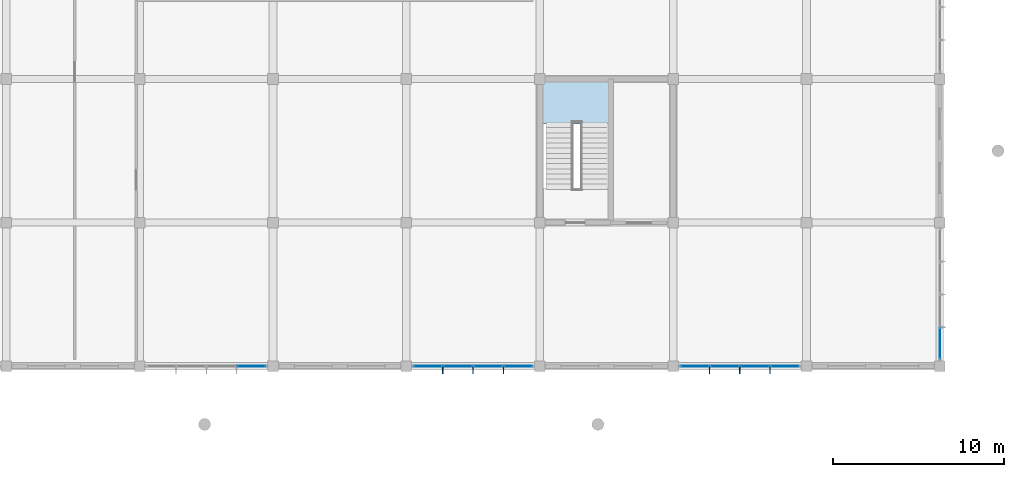
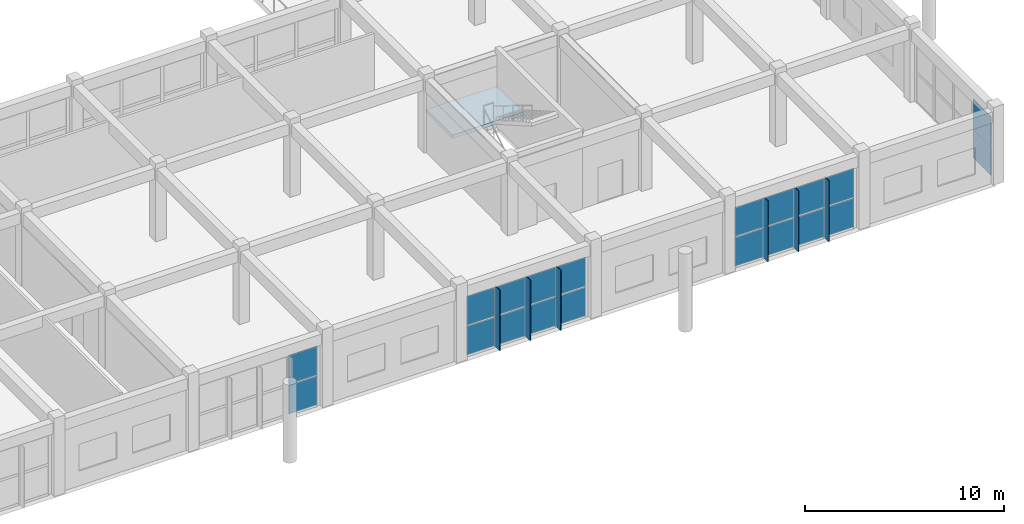
# One storey, part 140 of 167: 26 plates, 1 slab, 5 elements without a shape of their own.
"""IFC4 building model written with IfcOpenShell, lengths in metres."""

from ifc_helpers import new_model, si_unit, direction, frame, origin, origin_2d, place, context, subcontext, project, spatial, polyline, rectangle, outline, extrude, material, layer, layer_set, type_object, element, aggregate, save


model = new_model("IFC4")

# Units and contexts
model_context = context("Model", 3, precision=1e-05, world=origin(), true_north=direction((0.0, 1.0)))
body_context = subcontext(model_context, "Body", "Model", "MODEL_VIEW")
ifc_project = project(units=[si_unit("LENGTHUNIT", "METRE"), si_unit("AREAUNIT", "SQUARE_METRE"), si_unit("VOLUMEUNIT", "CUBIC_METRE"), si_unit("PLANEANGLEUNIT", "RADIAN"), si_unit("MASSUNIT", "GRAM", prefix="KILO")], contexts=[model_context])

# Site, building, storey
site_placement = place(None, origin())
site = spatial("IfcSite", under=ifc_project, at=site_placement, CompositionType="ELEMENT")
building_placement = place(site_placement, origin())
building = spatial("IfcBuilding", under=site, at=building_placement, Name="Zizhar Promenade General Hospital", CompositionType="ELEMENT")
storey_placement = place(building_placement, frame((0.0, 0.0, 9.60009765625)))
storey = spatial("IfcBuildingStorey", under=building, at=storey_placement, Name="L02", CompositionType="ELEMENT", Elevation=9.60009765625)

# Curtain wall, plates
ifc_material_1 = material(Name="Anodised aluminium 6063-T6 and low-E glass", Category="aluminium")
ifc_layer_1 = layer(ifc_material_1, 0.159912109375)
ifc_layer_set_1 = layer_set([ifc_layer_1], Name="Anodised aluminium 6063-T6 and low-E glass")
curtain_wall_type = type_object("IfcCurtainWallType", Name="CW-CLN-EXT", PredefinedType="NOTDEFINED", material=ifc_layer_set_1)
curtain_wall_1_placement = place(storey_placement, origin())
curtain_wall_1 = element("IfcCurtainWall", 1, at=curtain_wall_1_placement, inside=storey, type_object=curtain_wall_type, Name="Outpatient East Curtain Wall L02-5", PredefinedType="NOTDEFINED")
ifc_material_2 = material(Name="Low-E solar-control glass", Category="glass")
ifc_layer_2 = layer(ifc_material_2, 0.031982421875)
ifc_layer_set_2 = layer_set([ifc_layer_2], Name="Low-E solar-control glass")
plate_type_1 = type_object("IfcPlateType", Name="CWP-GLZ-32", PredefinedType="CURTAIN_PANEL", material=ifc_layer_set_2)
plate_1_placement = place(storey_placement, frame((195.0, 43.340087890625, 0.06005859375), z_axis=(0.0, 0.0, 1.0), x_axis=(0.0, -1.0, 0.0)))
plate_1 = element("IfcPlate", 2, at=plate_1_placement, type_object=plate_type_1, Name="CW-09 panel 4.1", PredefinedType="CURTAIN_PANEL", context=body_context, shape_type="SweptSolid", body=[
    extrude(rectangle(XDim=1.800048828125, YDim=0.031982421875, at=origin_2d()), origin(), (0.0, 0.0, 1.0), 1.77490234375),
])
plate_2_placement = place(storey_placement, frame((195.0, 43.340087890625, 1.89501953125), z_axis=(0.0, 0.0, 1.0), x_axis=(0.0, -1.0, 0.0)))
plate_2 = element("IfcPlate", 3, at=plate_2_placement, type_object=plate_type_1, Name="CW-09 panel 4.2", PredefinedType="CURTAIN_PANEL", context=body_context, shape_type="SweptSolid", body=[
    extrude(rectangle(XDim=1.800048828125, YDim=0.031982421875, at=origin_2d()), origin(), (0.0, 0.0, 1.0), 1.77490234375),
])
aggregate(curtain_wall_1, [plate_1, plate_2])

curtain_wall_2_placement = place(storey_placement, origin())
curtain_wall_2 = element("IfcCurtainWall", 4, at=curtain_wall_2_placement, inside=storey, type_object=curtain_wall_type, Name="Outpatient Forecourt Curtain Wall L02-19", PredefinedType="NOTDEFINED")
plate_3_placement = place(storey_placement, frame((154.735107421875, 42.0, 0.06005859375), z_axis=(0.0, 0.0, 1.0), x_axis=(-1.0, 0.0, 0.0)))
plate_3 = element("IfcPlate", 5, at=plate_3_placement, type_object=plate_type_1, Name="CW-09 panel 1.1", PredefinedType="CURTAIN_PANEL", context=body_context, shape_type="SweptSolid", body=[
    extrude(rectangle(XDim=1.64990234375, YDim=0.031982421875, at=origin_2d()), origin(), (0.0, 0.0, 1.0), 1.77490234375),
])
plate_4_placement = place(storey_placement, frame((154.735107421875, 42.0, 1.89501953125), z_axis=(0.0, 0.0, 1.0), x_axis=(-1.0, 0.0, 0.0)))
plate_4 = element("IfcPlate", 6, at=plate_4_placement, type_object=plate_type_1, Name="CW-09 panel 1.2", PredefinedType="CURTAIN_PANEL", context=body_context, shape_type="SweptSolid", body=[
    extrude(rectangle(XDim=1.64990234375, YDim=0.031982421875, at=origin_2d()), origin(), (0.0, 0.0, 1.0), 1.77490234375),
])
aggregate(curtain_wall_2, [plate_3, plate_4])

curtain_wall_3_placement = place(storey_placement, origin())
curtain_wall_3 = element("IfcCurtainWall", 7, at=curtain_wall_3_placement, inside=storey, type_object=curtain_wall_type, Name="Outpatient Forecourt Curtain Wall L02-21", PredefinedType="NOTDEFINED")
plate_5_placement = place(storey_placement, frame((170.3349609375, 42.0, 0.06005859375), z_axis=(0.0, 0.0, 1.0), x_axis=(-1.0, 0.0, 0.0)))
plate_5 = element("IfcPlate", 8, at=plate_5_placement, type_object=plate_type_1, Name="CW-09 panel 1.1", PredefinedType="CURTAIN_PANEL", context=body_context, shape_type="SweptSolid", body=[
    extrude(rectangle(XDim=1.64990234375, YDim=0.031982421875, at=origin_2d()), origin(), (0.0, 0.0, 1.0), 1.77490234375),
])
plate_6_placement = place(storey_placement, frame((170.3349609375, 42.0, 1.89501953125), z_axis=(0.0, 0.0, 1.0), x_axis=(-1.0, 0.0, 0.0)))
plate_6 = element("IfcPlate", 9, at=plate_6_placement, type_object=plate_type_1, Name="CW-09 panel 1.2", PredefinedType="CURTAIN_PANEL", context=body_context, shape_type="SweptSolid", body=[
    extrude(rectangle(XDim=1.64990234375, YDim=0.031982421875, at=origin_2d()), origin(), (0.0, 0.0, 1.0), 1.77490234375),
])
plate_7_placement = place(storey_placement, frame((168.5849609375, 42.0, 0.06005859375), z_axis=(0.0, 0.0, 1.0), x_axis=(-1.0, 0.0, 0.0)))
plate_7 = element("IfcPlate", 10, at=plate_7_placement, type_object=plate_type_1, Name="CW-09 panel 2.1", PredefinedType="CURTAIN_PANEL", context=body_context, shape_type="SweptSolid", body=[
    extrude(rectangle(XDim=1.68994140625, YDim=0.031982421875, at=origin_2d()), origin(), (0.0, 0.0, 1.0), 1.77490234375),
])
plate_8_placement = place(storey_placement, frame((168.5849609375, 42.0, 1.89501953125), z_axis=(0.0, 0.0, 1.0), x_axis=(-1.0, 0.0, 0.0)))
plate_8 = element("IfcPlate", 11, at=plate_8_placement, type_object=plate_type_1, Name="CW-09 panel 2.2", PredefinedType="CURTAIN_PANEL", context=body_context, shape_type="SweptSolid", body=[
    extrude(rectangle(XDim=1.68994140625, YDim=0.031982421875, at=origin_2d()), origin(), (0.0, 0.0, 1.0), 1.77490234375),
])
plate_9_placement = place(storey_placement, frame((166.81494140625, 42.0, 0.06005859375), z_axis=(0.0, 0.0, 1.0), x_axis=(-1.0, 0.0, 0.0)))
plate_9 = element("IfcPlate", 12, at=plate_9_placement, type_object=plate_type_1, Name="CW-09 panel 3.1", PredefinedType="CURTAIN_PANEL", context=body_context, shape_type="SweptSolid", body=[
    extrude(rectangle(XDim=1.68994140625, YDim=0.031982421875, at=origin_2d()), origin(), (0.0, 0.0, 1.0), 1.77490234375),
])
plate_10_placement = place(storey_placement, frame((166.81494140625, 42.0, 1.89501953125), z_axis=(0.0, 0.0, 1.0), x_axis=(-1.0, 0.0, 0.0)))
plate_10 = element("IfcPlate", 13, at=plate_10_placement, type_object=plate_type_1, Name="CW-09 panel 3.2", PredefinedType="CURTAIN_PANEL", context=body_context, shape_type="SweptSolid", body=[
    extrude(rectangle(XDim=1.68994140625, YDim=0.031982421875, at=origin_2d()), origin(), (0.0, 0.0, 1.0), 1.77490234375),
])
plate_11_placement = place(storey_placement, frame((165.06494140625, 42.0, 0.06005859375), z_axis=(0.0, 0.0, 1.0), x_axis=(-1.0, 0.0, 0.0)))
plate_11 = element("IfcPlate", 14, at=plate_11_placement, type_object=plate_type_1, Name="CW-09 panel 4.1", PredefinedType="CURTAIN_PANEL", context=body_context, shape_type="SweptSolid", body=[
    extrude(rectangle(XDim=1.64990234375, YDim=0.031982421875, at=origin_2d()), origin(), (0.0, 0.0, 1.0), 1.77490234375),
])
plate_12_placement = place(storey_placement, frame((165.06494140625, 42.0, 1.89501953125), z_axis=(0.0, 0.0, 1.0), x_axis=(-1.0, 0.0, 0.0)))
plate_12 = element("IfcPlate", 15, at=plate_12_placement, type_object=plate_type_1, Name="CW-09 panel 4.2", PredefinedType="CURTAIN_PANEL", context=body_context, shape_type="SweptSolid", body=[
    extrude(rectangle(XDim=1.64990234375, YDim=0.031982421875, at=origin_2d()), origin(), (0.0, 0.0, 1.0), 1.77490234375),
])
aggregate(curtain_wall_3, [plate_5, plate_6, plate_7, plate_8, plate_9, plate_10, plate_11, plate_12])

curtain_wall_4_placement = place(storey_placement, origin())
curtain_wall_4 = element("IfcCurtainWall", 16, at=curtain_wall_4_placement, inside=storey, type_object=curtain_wall_type, Name="Outpatient Forecourt Curtain Wall L02-23", PredefinedType="NOTDEFINED")
plate_13_placement = place(storey_placement, frame((185.93505859375, 42.0, 0.06005859375), z_axis=(0.0, 0.0, 1.0), x_axis=(-1.0, 0.0, 0.0)))
plate_13 = element("IfcPlate", 17, at=plate_13_placement, type_object=plate_type_1, Name="CW-09 panel 1.1", PredefinedType="CURTAIN_PANEL", context=body_context, shape_type="SweptSolid", body=[
    extrude(rectangle(XDim=1.64990234375, YDim=0.031982421875, at=origin_2d()), origin(), (0.0, 0.0, 1.0), 1.77490234375),
])
plate_14_placement = place(storey_placement, frame((185.93505859375, 42.0, 1.89501953125), z_axis=(0.0, 0.0, 1.0), x_axis=(-1.0, 0.0, 0.0)))
plate_14 = element("IfcPlate", 18, at=plate_14_placement, type_object=plate_type_1, Name="CW-09 panel 1.2", PredefinedType="CURTAIN_PANEL", context=body_context, shape_type="SweptSolid", body=[
    extrude(rectangle(XDim=1.64990234375, YDim=0.031982421875, at=origin_2d()), origin(), (0.0, 0.0, 1.0), 1.77490234375),
])
plate_15_placement = place(storey_placement, frame((184.18505859375, 42.0, 0.06005859375), z_axis=(0.0, 0.0, 1.0), x_axis=(-1.0, 0.0, 0.0)))
plate_15 = element("IfcPlate", 19, at=plate_15_placement, type_object=plate_type_1, Name="CW-09 panel 2.1", PredefinedType="CURTAIN_PANEL", context=body_context, shape_type="SweptSolid", body=[
    extrude(rectangle(XDim=1.68994140625, YDim=0.031982421875, at=origin_2d()), origin(), (0.0, 0.0, 1.0), 1.77490234375),
])
plate_16_placement = place(storey_placement, frame((184.18505859375, 42.0, 1.89501953125), z_axis=(0.0, 0.0, 1.0), x_axis=(-1.0, 0.0, 0.0)))
plate_16 = element("IfcPlate", 20, at=plate_16_placement, type_object=plate_type_1, Name="CW-09 panel 2.2", PredefinedType="CURTAIN_PANEL", context=body_context, shape_type="SweptSolid", body=[
    extrude(rectangle(XDim=1.68994140625, YDim=0.031982421875, at=origin_2d()), origin(), (0.0, 0.0, 1.0), 1.77490234375),
])
plate_17_placement = place(storey_placement, frame((182.4150390625, 42.0, 0.06005859375), z_axis=(0.0, 0.0, 1.0), x_axis=(-1.0, 0.0, 0.0)))
plate_17 = element("IfcPlate", 21, at=plate_17_placement, type_object=plate_type_1, Name="CW-09 panel 3.1", PredefinedType="CURTAIN_PANEL", context=body_context, shape_type="SweptSolid", body=[
    extrude(rectangle(XDim=1.68994140625, YDim=0.031982421875, at=origin_2d()), origin(), (0.0, 0.0, 1.0), 1.77490234375),
])
plate_18_placement = place(storey_placement, frame((182.4150390625, 42.0, 1.89501953125), z_axis=(0.0, 0.0, 1.0), x_axis=(-1.0, 0.0, 0.0)))
plate_18 = element("IfcPlate", 22, at=plate_18_placement, type_object=plate_type_1, Name="CW-09 panel 3.2", PredefinedType="CURTAIN_PANEL", context=body_context, shape_type="SweptSolid", body=[
    extrude(rectangle(XDim=1.68994140625, YDim=0.031982421875, at=origin_2d()), origin(), (0.0, 0.0, 1.0), 1.77490234375),
])
plate_19_placement = place(storey_placement, frame((180.6650390625, 42.0, 0.06005859375), z_axis=(0.0, 0.0, 1.0), x_axis=(-1.0, 0.0, 0.0)))
plate_19 = element("IfcPlate", 23, at=plate_19_placement, type_object=plate_type_1, Name="CW-09 panel 4.1", PredefinedType="CURTAIN_PANEL", context=body_context, shape_type="SweptSolid", body=[
    extrude(rectangle(XDim=1.64990234375, YDim=0.031982421875, at=origin_2d()), origin(), (0.0, 0.0, 1.0), 1.77490234375),
])
plate_20_placement = place(storey_placement, frame((180.6650390625, 42.0, 1.89501953125), z_axis=(0.0, 0.0, 1.0), x_axis=(-1.0, 0.0, 0.0)))
plate_20 = element("IfcPlate", 24, at=plate_20_placement, type_object=plate_type_1, Name="CW-09 panel 4.2", PredefinedType="CURTAIN_PANEL", context=body_context, shape_type="SweptSolid", body=[
    extrude(rectangle(XDim=1.64990234375, YDim=0.031982421875, at=origin_2d()), origin(), (0.0, 0.0, 1.0), 1.77490234375),
])
aggregate(curtain_wall_4, [plate_13, plate_14, plate_15, plate_16, plate_17, plate_18, plate_19, plate_20])

# Plates
ifc_material_3 = material(Name="Anodised aluminium 6063-T6", Category="aluminium")
ifc_layer_3 = layer(ifc_material_3, 0.0400390625)
ifc_layer_set_3 = layer_set([ifc_layer_3], Name="Anodised aluminium 6063-T6")
plate_type_2 = type_object("IfcPlateType", Name="FIN-ALU-450", PredefinedType="USERDEFINED", material=ifc_layer_set_3)
plate_21_placement = place(storey_placement, origin())
element("IfcPlate", 25, at=plate_21_placement, inside=storey, type_object=plate_type_2, Name="Outpatient Forecourt Curtain Wall L02-21 Solar Fin 1", ObjectType="SOLAR_SHADE", PredefinedType="USERDEFINED", context=body_context, shape_type="SweptSolid", body=[
    extrude(outline(polyline([(169.489990234375, 42.0), (169.449951171875, 42.0), (169.449951171875, 41.550048828125), (169.489990234375, 41.550048828125), (169.489990234375, 42.0)])), origin(), (0.0, 0.0, 1.0), 3.72998046875),
])
plate_22_placement = place(storey_placement, origin())
element("IfcPlate", 26, at=plate_22_placement, inside=storey, type_object=plate_type_2, Name="Outpatient Forecourt Curtain Wall L02-21 Solar Fin 2", ObjectType="SOLAR_SHADE", PredefinedType="USERDEFINED", context=body_context, shape_type="SweptSolid", body=[
    extrude(outline(polyline([(167.719970703125, 42.0), (167.679931640625, 42.0), (167.679931640625, 41.550048828125), (167.719970703125, 41.550048828125), (167.719970703125, 42.0)])), origin(), (0.0, 0.0, 1.0), 3.72998046875),
])
plate_23_placement = place(storey_placement, origin())
element("IfcPlate", 27, at=plate_23_placement, inside=storey, type_object=plate_type_2, Name="Outpatient Forecourt Curtain Wall L02-21 Solar Fin 3", ObjectType="SOLAR_SHADE", PredefinedType="USERDEFINED", context=body_context, shape_type="SweptSolid", body=[
    extrude(outline(polyline([(165.949951171875, 42.0), (165.909912109375, 42.0), (165.909912109375, 41.550048828125), (165.949951171875, 41.550048828125), (165.949951171875, 42.0)])), origin(), (0.0, 0.0, 1.0), 3.72998046875),
])
plate_24_placement = place(storey_placement, origin())
element("IfcPlate", 28, at=plate_24_placement, inside=storey, type_object=plate_type_2, Name="Outpatient Forecourt Curtain Wall L02-23 Solar Fin 1", ObjectType="SOLAR_SHADE", PredefinedType="USERDEFINED", context=body_context, shape_type="SweptSolid", body=[
    extrude(outline(polyline([(185.090087890625, 42.0), (185.050048828125, 42.0), (185.050048828125, 41.550048828125), (185.090087890625, 41.550048828125), (185.090087890625, 42.0)])), origin(), (0.0, 0.0, 1.0), 3.72998046875),
])
plate_25_placement = place(storey_placement, origin())
element("IfcPlate", 29, at=plate_25_placement, inside=storey, type_object=plate_type_2, Name="Outpatient Forecourt Curtain Wall L02-23 Solar Fin 2", ObjectType="SOLAR_SHADE", PredefinedType="USERDEFINED", context=body_context, shape_type="SweptSolid", body=[
    extrude(outline(polyline([(183.320068359375, 42.0), (183.280029296875, 42.0), (183.280029296875, 41.550048828125), (183.320068359375, 41.550048828125), (183.320068359375, 42.0)])), origin(), (0.0, 0.0, 1.0), 3.72998046875),
])
plate_26_placement = place(storey_placement, origin())
element("IfcPlate", 30, at=plate_26_placement, inside=storey, type_object=plate_type_2, Name="Outpatient Forecourt Curtain Wall L02-23 Solar Fin 3", ObjectType="SOLAR_SHADE", PredefinedType="USERDEFINED", context=body_context, shape_type="SweptSolid", body=[
    extrude(outline(polyline([(181.550048828125, 42.0), (181.510009765625, 42.0), (181.510009765625, 41.550048828125), (181.550048828125, 41.550048828125), (181.550048828125, 42.0)])), origin(), (0.0, 0.0, 1.0), 3.72998046875),
])

# Stair, slab
ifc_material_4 = material(Name="Concrete C35/45", Category="concrete")
stair_type = type_object("IfcStairType", Name="STR-DOG-480", PredefinedType="HALF_TURN_STAIR", material=ifc_material_4)
stair_placement = place(storey_placement, origin())
stair = element("IfcStair", 31, at=stair_placement, inside=storey, type_object=stair_type, Name="Exit Stair ST-09 (L02 to L03)", PredefinedType="HALF_TURN_STAIR")
ifc_material_5 = material(Name="Concrete C35/45", Category="concrete")
ifc_layer_4 = layer(ifc_material_5, 0.219970703125)
ifc_layer_set_4 = layer_set([ifc_layer_4], Name="Concrete C35/45")
slab_type = type_object("IfcSlabType", Name="SLB-LAND-480", PredefinedType="LANDING", material=ifc_layer_set_4)
slab_placement = place(storey_placement, frame((0.0, 0.0, 2.179931640625)))
slab = element("IfcSlab", 32, at=slab_placement, type_object=slab_type, Name="ST-09A landing 1", PredefinedType="LANDING", context=body_context, shape_type="SweptSolid", body=[
    extrude(outline(polyline([(171.60009765625, 56.169921875), (175.75, 56.169921875), (175.75, 58.800048828125), (171.60009765625, 58.800048828125), (171.60009765625, 56.169921875)])), origin(), (0.0, 0.0, 1.0), 0.219970703125),
])
aggregate(stair, [slab])

save(model, "model.ifc")
